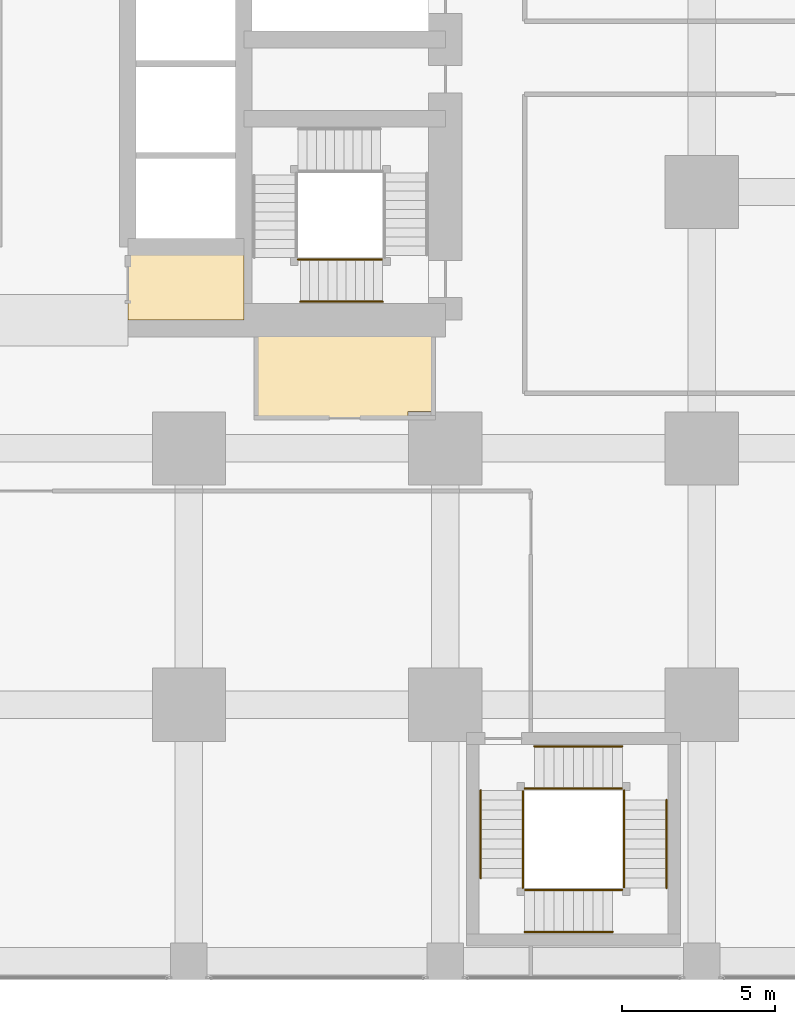
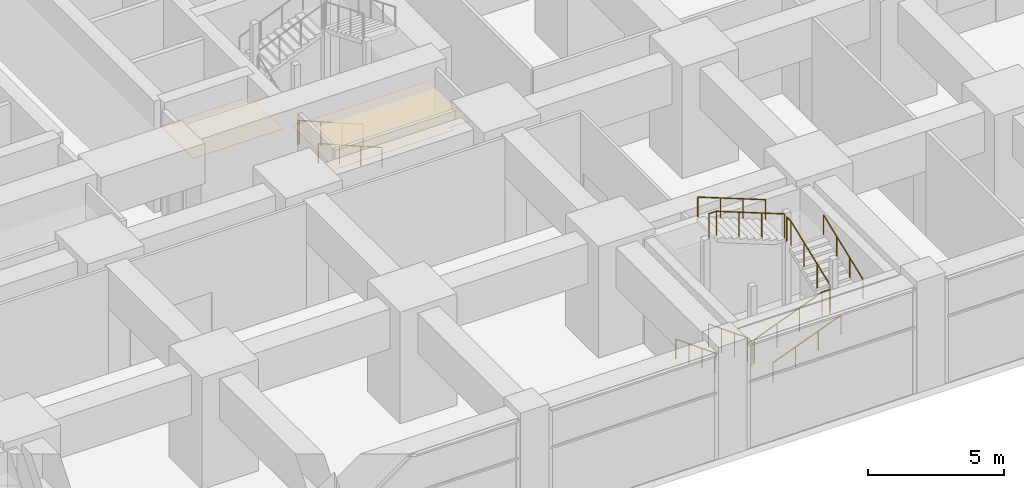
# One storey, part 43 of 49: 15 railings, 2 coverings.
"""IFC4 building model written with IfcOpenShell, lengths in metres."""

import ifcopenshell
import ifcopenshell.guid

model = None  # the IFC model being written
_history = None  # IfcOwnerHistory: only IFC2X3 demands one
_inside = {}  # id of a spatial element -> (the spatial element, [elements in it])
_under = {}  # id of a project, library or spatial element -> (it, [spatial elements below it])
_declared = {}  # id of a project -> (the project, [libraries it declares])
_typed = {}  # id of a type object -> (the type object, [elements of that type])
_made_of = {}  # id of a material, layer set ... -> (it, [elements and type objects made of it])


def new_model(schema):
    """Start an empty IFC model of exactly this schema.

    Asked for "IFC4X3", IfcOpenShell would pick the latest addendum, in which some entities
    have other attributes; the version numbers below select the first issue.
    IFC2X3 requires an IfcOwnerHistory on every rooted entity: one is made here for all.
    """
    global model, _history
    if schema == "IFC4X3":
        model = ifcopenshell.file(schema_version=(4, 3, 0, 0))
    else:
        model = ifcopenshell.file(schema=schema)
    _inside.clear()
    _under.clear()
    _declared.clear()
    _typed.clear()
    _made_of.clear()
    _history = None
    if model.schema == "IFC2X3":
        org = make("IfcOrganization", Name="unknown")
        user = make(
            "IfcPersonAndOrganization",
            ThePerson=make("IfcPerson", FamilyName="unknown"),
            TheOrganization=org,
        )
        app = make(
            "IfcApplication",
            ApplicationDeveloper=org,
            Version="unknown",
            ApplicationFullName="unknown",
            ApplicationIdentifier="unknown",
        )
        _history = make(
            "IfcOwnerHistory",
            OwningUser=user,
            OwningApplication=app,
            ChangeAction="ADDED",
            CreationDate=0,
        )
    return model


def make(cls, **values):
    """One entity of the class cls with the attributes given. An attribute that is None is left unset."""
    return model.create_entity(
        cls, **{name: value for name, value in values.items() if value is not None}
    )


def rooted(cls, **values):
    """An entity with a GlobalId (a new one), such as an element, a storey or a relation."""
    return make(cls, GlobalId=ifcopenshell.guid.new(), OwnerHistory=_history, **values)


def si_unit(unit_type, name, prefix=None):
    """IfcSIUnit, for example si_unit("LENGTHUNIT", "METRE", prefix="MILLI")."""
    return make("IfcSIUnit", UnitType=unit_type, Prefix=prefix, Name=name)


def assignment(units):
    """IfcUnitAssignment: the units of a project."""
    return None if units is None else make("IfcUnitAssignment", Units=units)


def point(xyz):
    """IfcCartesianPoint."""
    return None if xyz is None else make("IfcCartesianPoint", Coordinates=xyz)


def direction(xyz):
    """IfcDirection."""
    return None if xyz is None else make("IfcDirection", DirectionRatios=xyz)


def frame(location, z_axis=None, x_axis=None):
    """IfcAxis2Placement3D, a coordinate frame: its origin and axes. An axis left out is left unset."""
    return make(
        "IfcAxis2Placement3D",
        Location=point(location),
        Axis=direction(z_axis),
        RefDirection=direction(x_axis),
    )


def frame_2d(location, x_axis=None):
    """IfcAxis2Placement2D, a coordinate frame in the plane: its origin and x axis."""
    return make(
        "IfcAxis2Placement2D", Location=point(location), RefDirection=direction(x_axis)
    )


def origin():
    """The frame at (0, 0, 0) with its axes left unset."""
    return frame((0.0, 0.0, 0.0))


def origin_2d():
    """The frame at (0, 0) in the plane with its x axis left unset."""
    return frame_2d((0.0, 0.0))


def place(relative_to, where):
    """IfcLocalPlacement: puts the frame where relative to a parent placement (None: the world)."""
    return make(
        "IfcLocalPlacement", PlacementRelTo=relative_to, RelativePlacement=where
    )


def context(
    kind, dimensions, precision=None, world=None, true_north=None, identifier=None
):
    """IfcGeometricRepresentationContext, for example the 3D "Model" context."""
    return make(
        "IfcGeometricRepresentationContext",
        ContextIdentifier=identifier,
        ContextType=kind,
        CoordinateSpaceDimension=dimensions,
        Precision=precision,
        WorldCoordinateSystem=world,
        TrueNorth=true_north,
    )


def subcontext(parent, identifier, kind, view, scale=None):
    """IfcGeometricRepresentationSubContext, for example "Body" below "Model"."""
    return make(
        "IfcGeometricRepresentationSubContext",
        ContextIdentifier=identifier,
        ContextType=kind,
        ParentContext=parent,
        TargetScale=scale,
        TargetView=view,
    )


def project(units=None, contexts=None):
    """IfcProject with its units and contexts."""
    return rooted(
        "IfcProject",
        Name="project",
        RepresentationContexts=contexts,
        UnitsInContext=assignment(units),
    )


def spatial(cls, under=None, at=None, **own):
    """A site, building, storey or space (cls), placed at a placement, below another one or the project."""
    s = rooted(cls, ObjectPlacement=at, **own)
    if under is not None:
        _under.setdefault(under.id(), (under, []))[1].append(s)
    return s


def polyline(points):
    """IfcPolyline through the points."""
    return make("IfcPolyline", Points=[point(p) for p in points])


def profile(cls, at=None, kind="AREA", **sizes):
    """A parametric profile (cls). Its sizes go by their IFC names, for example OverallWidth=200.0."""
    return make(cls, ProfileType=kind, Position=at, **sizes)


def circle(**sizes):
    """IfcCircleProfileDef."""
    return profile("IfcCircleProfileDef", **sizes)


def outline(outer, holes=None, kind="AREA"):
    """IfcArbitraryClosedProfileDef: a profile drawn as a closed curve; with holes, ...WithVoids."""
    if holes is None:
        return make("IfcArbitraryClosedProfileDef", ProfileType=kind, OuterCurve=outer)
    return make(
        "IfcArbitraryProfileDefWithVoids",
        ProfileType=kind,
        OuterCurve=outer,
        InnerCurves=holes,
    )


def extrude(swept, where, along, depth):
    """IfcExtrudedAreaSolid: the profile swept, set in the frame where, extruded along a direction by depth."""
    return make(
        "IfcExtrudedAreaSolid",
        SweptArea=swept,
        Position=where,
        ExtrudedDirection=direction(along),
        Depth=depth,
    )


def shape(context_of_items, identifier, shape_type, items):
    """IfcShapeRepresentation: the items that make up one representation, for example the "Body"."""
    return make(
        "IfcShapeRepresentation",
        ContextOfItems=context_of_items,
        RepresentationIdentifier=identifier,
        RepresentationType=shape_type,
        Items=items,
    )


def material(Name=None, Category=None):
    """IfcMaterial."""
    return make("IfcMaterial", Name=Name, Category=Category)


def layer(
    of_material, thickness, ventilated=None, Name=None, Category=None, Priority=None
):
    """IfcMaterialLayer: one layer of a wall or slab, of a material (None: an air gap)."""
    return make(
        "IfcMaterialLayer",
        Material=of_material,
        LayerThickness=thickness,
        IsVentilated=ventilated,
        Name=Name,
        Category=Category,
        Priority=Priority,
    )


def layer_set(layers, Name=None):
    """IfcMaterialLayerSet."""
    return make("IfcMaterialLayerSet", MaterialLayers=layers, LayerSetName=Name)


def made_of(thing, what):
    """Note that an element or type object is made of a material, layer set ...; save() writes the relation."""
    if what is not None:
        _made_of.setdefault(what.id(), (what, []))[1].append(thing)
    return thing


def type_object(cls, material=None, **own):
    """A type object (cls), such as IfcWallType, which elements share."""
    return made_of(rooted(cls, **own), material)


def element(
    cls,
    number,
    at=None,
    inside=None,
    cuts=None,
    type_object=None,
    material=None,
    context=None,
    identifier="Body",
    shape_type=None,
    held_by="IfcProductDefinitionShape",
    body=None,
    shapes=None,
    **own,
):
    """One element of the class cls, such as IfcWall. Its Tag is "e" and its number.

    at: its placement. inside: the storey or other place that contains it. cuts: it is an
    opening in that element (IfcRelVoidsElement). A single representation is given by context,
    identifier, shape_type and body (its items); several are given by shapes. held_by: the class
    of the entity that holds the representations. save() writes the other relations.
    """
    e = rooted(cls, Tag="e%d" % number, ObjectPlacement=at, **own)
    if body is not None:
        shapes = [shape(context, identifier, shape_type, body)]
    if shapes is not None:
        e.Representation = make(held_by, Representations=shapes)
    if inside is not None:
        _inside.setdefault(inside.id(), (inside, []))[1].append(e)
    if cuts is not None:
        rooted(
            "IfcRelVoidsElement", RelatingBuildingElement=cuts, RelatedOpeningElement=e
        )
    if type_object is not None:
        _typed.setdefault(type_object.id(), (type_object, []))[1].append(e)
    return made_of(e, material)


def aggregate(whole, parts):
    """IfcRelAggregates: a whole, such as a stair, and the parts it consists of."""
    return rooted("IfcRelAggregates", RelatingObject=whole, RelatedObjects=parts)


def save(model, path):
    """Write the relations noted so far, then the file.

    IfcRelAggregates (storeys below a building ...), IfcRelContainedInSpatialStructure (elements
    in a storey), IfcRelDefinesByType, IfcRelAssociatesMaterial and IfcRelDeclares: one each for
    every whole, place, type object, material and project.
    """
    for whole, parts in _under.values():
        aggregate(whole, parts)
    for where, things in _inside.values():
        rooted(
            "IfcRelContainedInSpatialStructure",
            RelatedElements=things,
            RelatingStructure=where,
        )
    for kind, things in _typed.values():
        rooted("IfcRelDefinesByType", RelatedObjects=things, RelatingType=kind)
    for what, things in _made_of.values():
        rooted("IfcRelAssociatesMaterial", RelatedObjects=things, RelatingMaterial=what)
    for by, libraries in _declared.values():
        rooted("IfcRelDeclares", RelatingContext=by, RelatedDefinitions=libraries)
    model.write(path)


model = new_model("IFC4")

# Units and contexts
model_context = context("Model", 3, precision=1e-05, world=origin(), true_north=direction((0.0, 1.0)))
body_context = subcontext(model_context, "Body", "Model", "MODEL_VIEW")
ifc_project = project(units=[si_unit("LENGTHUNIT", "METRE"), si_unit("AREAUNIT", "SQUARE_METRE"), si_unit("VOLUMEUNIT", "CUBIC_METRE"), si_unit("PLANEANGLEUNIT", "RADIAN"), si_unit("MASSUNIT", "GRAM", prefix="KILO")], contexts=[model_context])

# Site, building, storey
site_placement = place(None, origin())
site = spatial("IfcSite", under=ifc_project, at=site_placement, CompositionType="ELEMENT")
building_placement = place(site_placement, origin())
building = spatial("IfcBuilding", under=site, at=building_placement, Name="Rekha Terrace Tower", CompositionType="ELEMENT")
storey_placement = place(building_placement, frame((0.0, 0.0, 5.39990234375)))
storey = spatial("IfcBuildingStorey", under=building, at=storey_placement, Name="L01", CompositionType="ELEMENT", Elevation=5.39990234375)

# Coverings
ifc_material_1 = material(Name="Fibre cement board", Category="finish")
ifc_layer = layer(ifc_material_1, 0.014892578125)
ifc_layer_set = layer_set([ifc_layer], Name="Fibre cement board")
covering_type = type_object("IfcCoveringType", Name="CL2 moisture-resistant board ceiling", PredefinedType="CEILING", material=ifc_layer_set)
covering_1_placement = place(storey_placement, frame((0.0, 0.0, 3.78515625)))
element("IfcCovering", 1, at=covering_1_placement, inside=storey, type_object=covering_type, Name="Ceiling L01-WCA", PredefinedType="CEILING", context=body_context, shape_type="SweptSolid", body=[
    extrude(outline(polyline([(43.800048828125, 23.39990234375), (40.0, 23.39990234375), (40.0, 21.0), (43.800048828125, 21.0), (43.800048828125, 23.39990234375)])), origin(), (0.0, 0.0, 1.0), 0.014892578125),
])
covering_2_placement = place(storey_placement, frame((0.0, 0.0, 3.78515625)))
element("IfcCovering", 2, at=covering_2_placement, inside=storey, type_object=covering_type, Name="Ceiling L01-WCM2", PredefinedType="CEILING", context=body_context, shape_type="SweptSolid", body=[
    extrude(outline(polyline([(50.0, 21.0), (44.199951171875, 21.0), (44.199951171875, 17.800048828125), (49.18505859375, 17.800048828125), (49.18505859375, 18.014892578125), (50.0, 18.014892578125), (50.0, 21.0)])), origin(), (0.0, 0.0, 1.0), 0.014892578125),
])

# Railings
ifc_material_2 = material(Name="Stainless steel balustrade", Category="steel")
railing_type_1 = type_object("IfcRailingType", Name="GR1 1100 stair guard", PredefinedType="GUARDRAIL", material=ifc_material_2)
railing_1_placement = place(storey_placement, frame((52.93994140625, 5.60009765625, 0.125)))
element("IfcRailing", 3, at=railing_1_placement, inside=storey, type_object=railing_type_1, Name="Guard SP4 L01 flight 1", PredefinedType="GUARDRAIL", context=body_context, shape_type="SweptSolid", body=[
    extrude(circle(Radius=0.02392578125, at=origin_2d()), frame((0.0, 0.0, 1.076171875), z_axis=(0.0, -0.931462784923, 0.363836612098), x_axis=(1.0, 0.0, 0.0)), (0.0, 0.0, 1.0), 3.092041015625),
    extrude(circle(Radius=0.02099609375, at=origin_2d()), origin(), (0.0, 0.0, 1.0), 1.052001953125),
    extrude(circle(Radius=0.02099609375, at=origin_2d()), frame((0.0, -0.9599609375, 0.375)), (0.0, 0.0, 1.0), 1.052001953125),
    extrude(circle(Radius=0.02099609375, at=origin_2d()), frame((0.0, -1.920166015625, 0.75)), (0.0, 0.0, 1.0), 1.052001953125),
    extrude(circle(Radius=0.02099609375, at=origin_2d()), frame((0.0, -2.880126953125, 1.125)), (0.0, 0.0, 1.0), 1.052001953125),
])
railing_2_placement = place(storey_placement, frame((53.0, 2.340087890625, 1.375)))
element("IfcRailing", 4, at=railing_2_placement, inside=storey, type_object=railing_type_1, Name="Guard SP4 L01 flight 2", PredefinedType="GUARDRAIL", context=body_context, shape_type="SweptSolid", body=[
    extrude(circle(Radius=0.02392578125, at=origin_2d()), frame((0.0, 0.0, 1.076171875), z_axis=(0.931452331594, 0.0, 0.363863372667), x_axis=(0.0, 1.0, 0.0)), (0.0, 0.0, 1.0), 3.091796875),
    extrude(circle(Radius=0.02099609375, at=origin_2d()), origin(), (0.0, 0.0, 1.0), 1.052001953125),
    extrude(circle(Radius=0.02099609375, at=origin_2d()), frame((0.9599609375, 0.0, 0.375)), (0.0, 0.0, 1.0), 1.052001953125),
    extrude(circle(Radius=0.02099609375, at=origin_2d()), frame((1.919921875, 0.0, 0.75)), (0.0, 0.0, 1.0), 1.052001953125),
    extrude(circle(Radius=0.02099609375, at=origin_2d()), frame((2.8798828125, 0.0, 1.125)), (0.0, 0.0, 1.0), 1.052001953125),
])
railing_3_placement = place(storey_placement, frame((56.260009765625, 2.39990234375, 2.625)))
element("IfcRailing", 5, at=railing_3_placement, inside=storey, type_object=railing_type_1, Name="Guard SP4 L01 flight 3", PredefinedType="GUARDRAIL", context=body_context, shape_type="SweptSolid", body=[
    extrude(circle(Radius=0.02392578125, at=origin_2d()), frame((0.0, 0.0, 1.076171875), z_axis=(0.0, 0.931462784923, 0.363836612098), x_axis=(-1.0, 0.0, 0.0)), (0.0, 0.0, 1.0), 3.092041015625),
    extrude(circle(Radius=0.02099609375, at=origin_2d()), origin(), (0.0, 0.0, 1.0), 1.052001953125),
    extrude(circle(Radius=0.02099609375, at=origin_2d()), frame((0.0, 0.9599609375, 0.375)), (0.0, 0.0, 1.0), 1.052001953125),
    extrude(circle(Radius=0.02099609375, at=origin_2d()), frame((0.0, 1.920166015625, 0.75)), (0.0, 0.0, 1.0), 1.052001953125),
    extrude(circle(Radius=0.02099609375, at=origin_2d()), frame((0.0, 2.880126953125, 1.125)), (0.0, 0.0, 1.0), 1.052001953125),
])
railing_4_placement = place(storey_placement, frame((56.199951171875, 5.659912109375, 3.875)))
element("IfcRailing", 6, at=railing_4_placement, inside=storey, type_object=railing_type_1, Name="Guard SP4 L01 flight 4", PredefinedType="GUARDRAIL", context=body_context, shape_type="SweptSolid", body=[
    extrude(circle(Radius=0.02392578125, at=origin_2d()), frame((0.0, 0.0, 1.076171875), z_axis=(-0.931452331594, 0.0, 0.363863372667), x_axis=(0.0, -1.0, 0.0)), (0.0, 0.0, 1.0), 3.091796875),
    extrude(circle(Radius=0.02099609375, at=origin_2d()), origin(), (0.0, 0.0, 1.0), 1.052001953125),
    extrude(circle(Radius=0.02099609375, at=origin_2d()), frame((-0.9599609375, 0.0, 0.375)), (0.0, 0.0, 1.0), 1.052001953125),
    extrude(circle(Radius=0.02099609375, at=origin_2d()), frame((-1.919921875, 0.0, 0.75)), (0.0, 0.0, 1.0), 1.052001953125),
    extrude(circle(Radius=0.02099609375, at=origin_2d()), frame((-2.8798828125, 0.0, 1.125)), (0.0, 0.0, 1.0), 1.052001953125),
])
railing_5_placement = place(storey_placement, frame((52.93994140625, 2.719970703125, 1.25)))
element("IfcRailing", 7, at=railing_5_placement, inside=storey, type_object=railing_type_1, Name="Guard SP4 L01 landing 1", PredefinedType="GUARDRAIL", context=body_context, shape_type="SweptSolid", body=[
    extrude(circle(Radius=0.02392578125, at=origin_2d()), frame((0.0, 0.0, 1.076171875), z_axis=(0.0, -1.0, 0.0), x_axis=(1.0, 0.0, 0.0)), (0.0, 0.0, 1.0), 0.320068359375),
    extrude(circle(Radius=0.02099609375, at=origin_2d()), origin(), (0.0, 0.0, 1.0), 1.052001953125),
    extrude(circle(Radius=0.02099609375, at=origin_2d()), frame((0.0, -0.320068359375, 0.0)), (0.0, 0.0, 1.0), 1.052001953125),
])
railing_6_placement = place(storey_placement, frame((55.8798828125, 2.340087890625, 2.5)))
element("IfcRailing", 8, at=railing_6_placement, inside=storey, type_object=railing_type_1, Name="Guard SP4 L01 landing 2", PredefinedType="GUARDRAIL", context=body_context, shape_type="SweptSolid", body=[
    extrude(circle(Radius=0.02392578125, at=origin_2d()), frame((0.0, 0.0, 1.076171875), z_axis=(1.0, 0.0, 0.0), x_axis=(0.0, 1.0, 0.0)), (0.0, 0.0, 1.0), 0.320068359375),
    extrude(circle(Radius=0.02099609375, at=origin_2d()), origin(), (0.0, 0.0, 1.0), 1.052001953125),
    extrude(circle(Radius=0.02099609375, at=origin_2d()), frame((0.320068359375, 0.0, 0.0)), (0.0, 0.0, 1.0), 1.052001953125),
])
railing_7_placement = place(storey_placement, frame((56.260009765625, 5.60009765625, 3.75)))
element("IfcRailing", 9, at=railing_7_placement, inside=storey, type_object=railing_type_1, Name="Guard SP4 L01 landing 3", PredefinedType="GUARDRAIL", context=body_context, shape_type="SweptSolid", body=[
    extrude(circle(Radius=0.02392578125, at=origin_2d()), frame((0.0, 0.0, 1.076171875), z_axis=(0.0, -1.0, 0.0), x_axis=(1.0, 0.0, 0.0)), (0.0, 0.0, 1.0), 0.320068359375),
    extrude(circle(Radius=0.02099609375, at=origin_2d()), origin(), (0.0, 0.0, 1.0), 1.052001953125),
    extrude(circle(Radius=0.02099609375, at=origin_2d()), frame((0.0, -0.320068359375, 0.0)), (0.0, 0.0, 1.0), 1.052001953125),
])
railing_8_placement = place(storey_placement, frame((53.0, 5.659912109375, 5.0)))
element("IfcRailing", 10, at=railing_8_placement, inside=storey, type_object=railing_type_1, Name="Guard SP4 L01 landing 4", PredefinedType="GUARDRAIL", context=body_context, shape_type="SweptSolid", body=[
    extrude(circle(Radius=0.02392578125, at=origin_2d()), frame((0.0, 0.0, 1.076171875), z_axis=(1.0, 0.0, 0.0), x_axis=(0.0, 1.0, 0.0)), (0.0, 0.0, 1.0), 0.320068359375),
    extrude(circle(Radius=0.02099609375, at=origin_2d()), origin(), (0.0, 0.0, 1.0), 1.052001953125),
    extrude(circle(Radius=0.02099609375, at=origin_2d()), frame((0.320068359375, 0.0, 0.0)), (0.0, 0.0, 1.0), 1.052001953125),
])
railing_9_placement = place(storey_placement, frame((48.35009765625, 22.989990234375, 0.125)))
element("IfcRailing", 11, at=railing_9_placement, inside=storey, type_object=railing_type_1, Name="Guard ST3 L01 flight 1", PredefinedType="GUARDRAIL", context=body_context, shape_type="SweptSolid", body=[
    extrude(circle(Radius=0.02392578125, at=origin_2d()), frame((0.0, 0.0, 1.076171875), z_axis=(-0.923086799901, 0.0, 0.38459167938), x_axis=(0.0, -1.0, 0.0)), (0.0, 0.0, 1.0), 2.92529296875),
    extrude(circle(Radius=0.02099609375, at=origin_2d()), origin(), (0.0, 0.0, 1.0), 1.052001953125),
    extrude(circle(Radius=0.02099609375, at=origin_2d()), frame((-0.900146484375, 0.0, 0.375)), (0.0, 0.0, 1.0), 1.052001953125),
    extrude(circle(Radius=0.02099609375, at=origin_2d()), frame((-1.800048828125, 0.0, 0.75)), (0.0, 0.0, 1.0), 1.052001953125),
    extrude(circle(Radius=0.02099609375, at=origin_2d()), frame((-2.7001953125, 0.0, 1.125)), (0.0, 0.0, 1.0), 1.052001953125),
])
railing_10_placement = place(storey_placement, frame((45.64990234375, 22.989990234375, 1.25)))
element("IfcRailing", 12, at=railing_10_placement, inside=storey, type_object=railing_type_1, Name="Guard ST3 L01 landing 1", PredefinedType="GUARDRAIL", context=body_context, shape_type="SweptSolid", body=[
    extrude(circle(Radius=0.02392578125, at=origin_2d()), frame((0.0, 0.0, 1.076171875), z_axis=(-1.0, 0.0, 0.0), x_axis=(0.0, -1.0, 0.0)), (0.0, 0.0, 1.0), 0.074951171875),
    extrude(circle(Radius=0.02099609375, at=origin_2d()), origin(), (0.0, 0.0, 1.0), 1.052001953125),
    extrude(circle(Radius=0.02099609375, at=origin_2d()), frame((-0.074951171875, 0.0, 0.0)), (0.0, 0.0, 1.0), 1.052001953125),
])
ifc_material_3 = material(Name="Stainless steel tube", Category="steel")
railing_type_2 = type_object("IfcRailingType", Name="HR1 900 stair handrail", PredefinedType="HANDRAIL", material=ifc_material_3)
railing_11_placement = place(storey_placement, frame((51.56005859375, 5.60009765625, 0.125)))
element("IfcRailing", 13, at=railing_11_placement, inside=storey, type_object=railing_type_2, Name="Handrail SP4 L01 flight 1", PredefinedType="HANDRAIL", context=body_context, shape_type="SweptSolid", body=[
    extrude(circle(Radius=0.02392578125, at=origin_2d()), frame((0.0, 0.0, 0.8759765625), z_axis=(0.0, -0.931462784923, 0.363836612098), x_axis=(1.0, 0.0, 0.0)), (0.0, 0.0, 1.0), 3.092041015625),
    extrude(circle(Radius=0.02099609375, at=origin_2d()), origin(), (0.0, 0.0, 1.0), 0.851806640625),
    extrude(circle(Radius=0.02099609375, at=origin_2d()), frame((0.0, -0.9599609375, 0.375)), (0.0, 0.0, 1.0), 0.851806640625),
    extrude(circle(Radius=0.02099609375, at=origin_2d()), frame((0.0, -1.920166015625, 0.75)), (0.0, 0.0, 1.0), 0.851806640625),
    extrude(circle(Radius=0.02099609375, at=origin_2d()), frame((0.0, -2.880126953125, 1.125)), (0.0, 0.0, 1.0), 0.851806640625),
])
railing_12_placement = place(storey_placement, frame((53.0, 0.9599609375, 1.375)))
element("IfcRailing", 14, at=railing_12_placement, inside=storey, type_object=railing_type_2, Name="Handrail SP4 L01 flight 2", PredefinedType="HANDRAIL", context=body_context, shape_type="SweptSolid", body=[
    extrude(circle(Radius=0.02392578125, at=origin_2d()), frame((0.0, 0.0, 0.8759765625), z_axis=(0.931452331594, 0.0, 0.363863372667), x_axis=(0.0, 1.0, 0.0)), (0.0, 0.0, 1.0), 3.091796875),
    extrude(circle(Radius=0.02099609375, at=origin_2d()), origin(), (0.0, 0.0, 1.0), 0.851806640625),
    extrude(circle(Radius=0.02099609375, at=origin_2d()), frame((0.9599609375, 0.0, 0.375)), (0.0, 0.0, 1.0), 0.851806640625),
    extrude(circle(Radius=0.02099609375, at=origin_2d()), frame((1.919921875, 0.0, 0.75)), (0.0, 0.0, 1.0), 0.851806640625),
    extrude(circle(Radius=0.02099609375, at=origin_2d()), frame((2.8798828125, 0.0, 1.125)), (0.0, 0.0, 1.0), 0.851806640625),
])
railing_13_placement = place(storey_placement, frame((57.639892578125, 2.39990234375, 2.625)))
element("IfcRailing", 15, at=railing_13_placement, inside=storey, type_object=railing_type_2, Name="Handrail SP4 L01 flight 3", PredefinedType="HANDRAIL", context=body_context, shape_type="SweptSolid", body=[
    extrude(circle(Radius=0.02392578125, at=origin_2d()), frame((0.0, 0.0, 0.8759765625), z_axis=(0.0, 0.931462784923, 0.363836612098), x_axis=(-1.0, 0.0, 0.0)), (0.0, 0.0, 1.0), 3.092041015625),
    extrude(circle(Radius=0.02099609375, at=origin_2d()), origin(), (0.0, 0.0, 1.0), 0.851806640625),
    extrude(circle(Radius=0.02099609375, at=origin_2d()), frame((0.0, 0.9599609375, 0.375)), (0.0, 0.0, 1.0), 0.851806640625),
    extrude(circle(Radius=0.02099609375, at=origin_2d()), frame((0.0, 1.920166015625, 0.75)), (0.0, 0.0, 1.0), 0.851806640625),
    extrude(circle(Radius=0.02099609375, at=origin_2d()), frame((0.0, 2.880126953125, 1.125)), (0.0, 0.0, 1.0), 0.851806640625),
])
railing_14_placement = place(storey_placement, frame((56.199951171875, 7.0400390625, 3.875)))
element("IfcRailing", 16, at=railing_14_placement, inside=storey, type_object=railing_type_2, Name="Handrail SP4 L01 flight 4", PredefinedType="HANDRAIL", context=body_context, shape_type="SweptSolid", body=[
    extrude(circle(Radius=0.02392578125, at=origin_2d()), frame((0.0, 0.0, 0.8759765625), z_axis=(-0.931452331594, 0.0, 0.363863372667), x_axis=(0.0, -1.0, 0.0)), (0.0, 0.0, 1.0), 3.091796875),
    extrude(circle(Radius=0.02099609375, at=origin_2d()), origin(), (0.0, 0.0, 1.0), 0.851806640625),
    extrude(circle(Radius=0.02099609375, at=origin_2d()), frame((-0.9599609375, 0.0, 0.375)), (0.0, 0.0, 1.0), 0.851806640625),
    extrude(circle(Radius=0.02099609375, at=origin_2d()), frame((-1.919921875, 0.0, 0.75)), (0.0, 0.0, 1.0), 0.851806640625),
    extrude(circle(Radius=0.02099609375, at=origin_2d()), frame((-2.8798828125, 0.0, 1.125)), (0.0, 0.0, 1.0), 0.851806640625),
])
railing_15_placement = place(storey_placement, frame((48.35009765625, 21.610107421875, 0.125)))
element("IfcRailing", 17, at=railing_15_placement, inside=storey, type_object=railing_type_2, Name="Handrail ST3 L01 flight 1", PredefinedType="HANDRAIL", context=body_context, shape_type="SweptSolid", body=[
    extrude(circle(Radius=0.02392578125, at=origin_2d()), frame((0.0, 0.0, 0.8759765625), z_axis=(-0.923086799901, 0.0, 0.38459167938), x_axis=(0.0, -1.0, 0.0)), (0.0, 0.0, 1.0), 2.92529296875),
    extrude(circle(Radius=0.02099609375, at=origin_2d()), origin(), (0.0, 0.0, 1.0), 0.851806640625),
    extrude(circle(Radius=0.02099609375, at=origin_2d()), frame((-0.900146484375, 0.0, 0.375)), (0.0, 0.0, 1.0), 0.851806640625),
    extrude(circle(Radius=0.02099609375, at=origin_2d()), frame((-1.800048828125, 0.0, 0.75)), (0.0, 0.0, 1.0), 0.851806640625),
    extrude(circle(Radius=0.02099609375, at=origin_2d()), frame((-2.7001953125, 0.0, 1.125)), (0.0, 0.0, 1.0), 0.851806640625),
])

save(model, "model.ifc")
